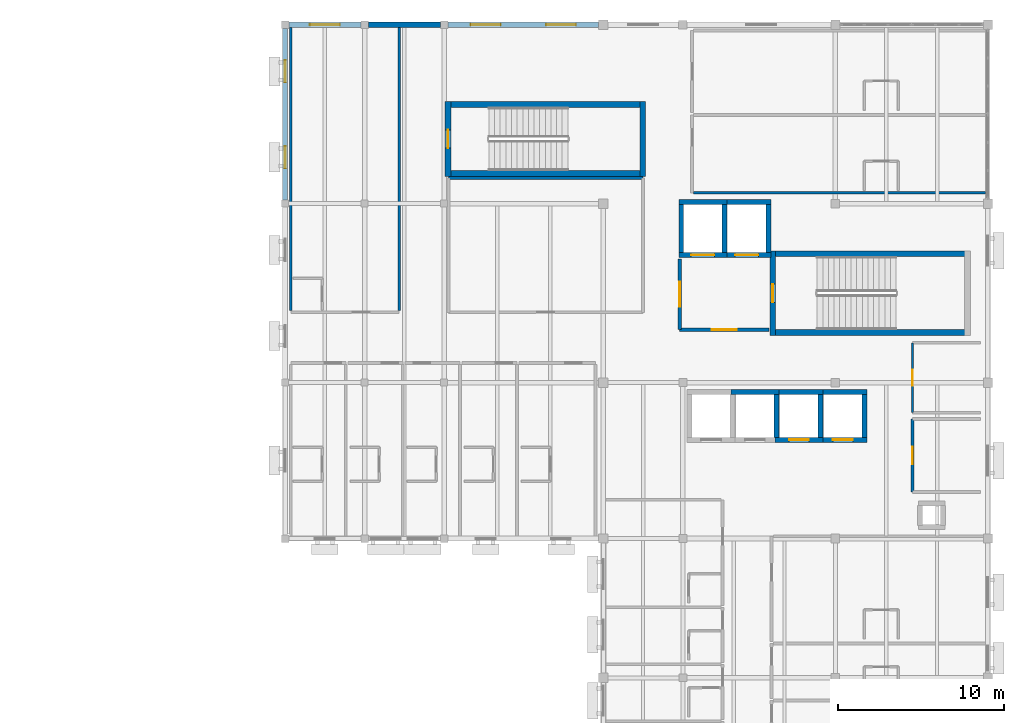
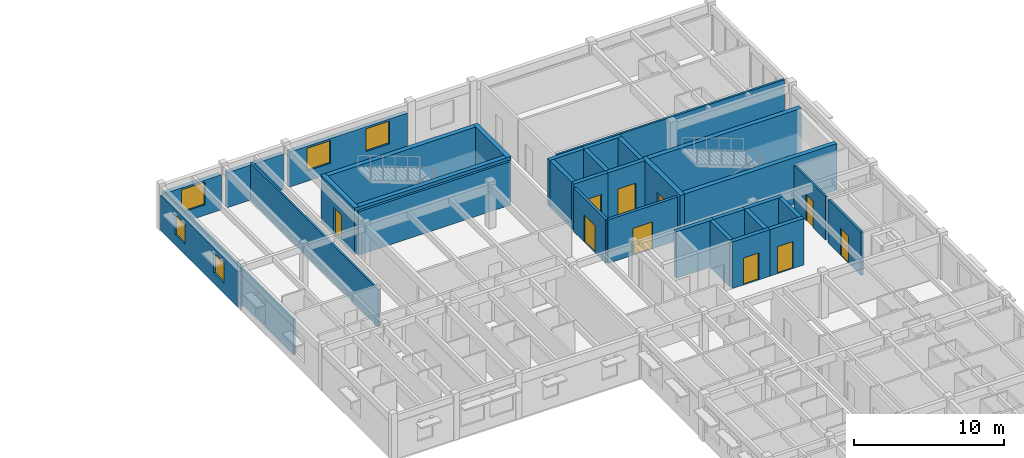
# One storey, part 18 of 31: 34 walls, 10 doors, 5 windows, 15 openings.
"""IFC4 building model written with IfcOpenShell, lengths in metres."""

from ifc_helpers import new_model, si_unit, direction, frame, frame_2d, origin, place, context, subcontext, project, spatial, rectangle, extrude, material, layer, layer_set, type_object, element, fill, save


model = new_model("IFC4")

# Units and contexts
model_context = context("Model", 3, precision=1e-05, world=origin(), true_north=direction((0.0, 1.0)))
body_context = subcontext(model_context, "Body", "Model", "MODEL_VIEW")
ifc_project = project(units=[si_unit("LENGTHUNIT", "METRE"), si_unit("AREAUNIT", "SQUARE_METRE"), si_unit("VOLUMEUNIT", "CUBIC_METRE"), si_unit("PLANEANGLEUNIT", "RADIAN"), si_unit("MASSUNIT", "GRAM", prefix="KILO")], contexts=[model_context])

# Site, building, storey
site_placement = place(None, origin())
site = spatial("IfcSite", under=ifc_project, at=site_placement, CompositionType="ELEMENT")
building_placement = place(site_placement, origin())
building = spatial("IfcBuilding", under=site, at=building_placement, Name="Veldera Park Congress Hotel", CompositionType="ELEMENT")
storey_placement = place(building_placement, frame((0.0, 0.0, 20.0)))
storey = spatial("IfcBuildingStorey", under=building, at=storey_placement, Name="L04", CompositionType="ELEMENT", Elevation=20.0)

# Wall, openings, windows
ifc_material_1 = material(Name="Cross-laminated timber CLT V2M1.1", Category="wood")
ifc_layer_1 = layer(ifc_material_1, 0.320068359375)
ifc_layer_set_1 = layer_set([ifc_layer_1], Name="Cross-laminated timber CLT V2M1.1")
wall_type_1 = type_object("IfcWallType", Name="EW-CLT320", PredefinedType="STANDARD", material=ifc_layer_set_1)
wall_1_placement = place(storey_placement, frame((60.52197265625, 58.0, 0.0), z_axis=(0.0, 0.0, 1.0), x_axis=(-1.0, 0.0, 0.0)))
wall_1 = element("IfcWall", 1, at=wall_1_placement, inside=storey, type_object=wall_type_1, Name="L04 Exterior Wall EW3-L04-0258", PredefinedType="STANDARD", context=body_context, shape_type="SweptSolid", body=[
    extrude(rectangle(XDim=9.098876953125, YDim=0.320068359375, at=frame_2d((4.54931640625, 0.0))), origin(), (0.0, 0.0, 1.0), 2.864990234375),
])
opening_1_placement = place(wall_1_placement, frame((1.374755859375, 0.0, 0.85009765625)))
opening_1 = element("IfcOpeningElement", 2, at=opening_1_placement, cuts=wall_1, Name="Opening WIN-1800", PredefinedType="OPENING", context=body_context, shape_type="SweptSolid", body=[
    extrude(rectangle(XDim=1.800048828125, YDim=1.85009765625, at=frame_2d((0.89990234375, 0.925048828125))), frame((0.0, 0.172119140625, 0.0), z_axis=(0.0, -1.0, 0.0), x_axis=(1.0, 0.0, 0.0)), (0.0, 0.0, 1.0), 0.343994140625),
])
opening_2_placement = place(wall_1_placement, frame((5.92431640625, 0.0, 0.85009765625)))
opening_2 = element("IfcOpeningElement", 3, at=opening_2_placement, cuts=wall_1, Name="Opening WIN-1800", PredefinedType="OPENING", context=body_context, shape_type="SweptSolid", body=[
    extrude(rectangle(XDim=1.800048828125, YDim=1.85009765625, at=frame_2d((0.89990234375, 0.925048828125))), frame((0.0, 0.172119140625, 0.0), z_axis=(0.0, -1.0, 0.0), x_axis=(1.0, 0.0, 0.0)), (0.0, 0.0, 1.0), 0.343994140625),
])
ifc_material_2 = material(Name="Low-E Triple Insulating Glass Unit (SHGC 0.22)", Category="glass")
window_type_1 = type_object("IfcWindowType", Name="WIN-1800", PartitioningType="SINGLE_PANEL", PredefinedType="WINDOW", material=ifc_material_2)
window_1_placement = place(opening_1_placement, origin())
window_1 = element("IfcWindow", 4, at=window_1_placement, inside=storey, type_object=window_type_1, Name="L04 Window WIN-1800 206", OverallHeight=1.85009765625, OverallWidth=1.800048828125, PartitioningType="SINGLE_PANEL", PredefinedType="WINDOW", context=body_context, shape_type="SweptSolid", body=[
    extrude(rectangle(XDim=1.800048828125, YDim=1.85009765625, at=frame_2d((0.89990234375, 0.925048828125))), frame((0.0, 0.030029296875, 0.0), z_axis=(0.0, -1.0, 0.0), x_axis=(1.0, 0.0, 0.0)), (0.0, 0.0, 1.0), 0.06005859375),
])
fill(opening_1, window_1)
window_2_placement = place(opening_2_placement, origin())
window_2 = element("IfcWindow", 5, at=window_2_placement, inside=storey, type_object=window_type_1, Name="L04 Window WIN-1800 207", OverallHeight=1.85009765625, OverallWidth=1.800048828125, PartitioningType="SINGLE_PANEL", PredefinedType="WINDOW", context=body_context, shape_type="SweptSolid", body=[
    extrude(rectangle(XDim=1.800048828125, YDim=1.85009765625, at=frame_2d((0.89990234375, 0.925048828125))), frame((0.0, 0.030029296875, 0.0), z_axis=(0.0, -1.0, 0.0), x_axis=(1.0, 0.0, 0.0)), (0.0, 0.0, 1.0), 0.06005859375),
])
fill(opening_2, window_2)

# Wall
wall_2_placement = place(storey_placement, frame((50.97705078125, 58.0, 0.0), z_axis=(0.0, 0.0, 1.0), x_axis=(-1.0, 0.0, 0.0)))
element("IfcWall", 6, at=wall_2_placement, inside=storey, type_object=wall_type_1, Name="L04 Exterior Wall EW3-L04-0259", PredefinedType="STANDARD", context=body_context, shape_type="SweptSolid", body=[
    extrude(rectangle(XDim=4.35400390625, YDim=0.320068359375, at=frame_2d((2.177001953125, 0.0))), origin(), (0.0, 0.0, 1.0), 2.864990234375),
])

# Wall, opening, window
wall_3_placement = place(storey_placement, frame((46.177001953125, 58.0, 0.0), z_axis=(0.0, 0.0, 1.0), x_axis=(-1.0, 0.0, 0.0)))
wall_3 = element("IfcWall", 7, at=wall_3_placement, inside=storey, type_object=wall_type_1, Name="L04 Exterior Wall EW3-L04-0260", PredefinedType="STANDARD", context=body_context, shape_type="SweptSolid", body=[
    extrude(rectangle(XDim=4.35400390625, YDim=0.320068359375, at=frame_2d((2.177001953125, 0.0))), origin(), (0.0, 0.0, 1.0), 2.864990234375),
])
opening_3_placement = place(wall_3_placement, frame((1.277099609375, 0.0, 0.85009765625)))
opening_3 = element("IfcOpeningElement", 8, at=opening_3_placement, cuts=wall_3, Name="Opening WIN-1800", PredefinedType="OPENING", context=body_context, shape_type="SweptSolid", body=[
    extrude(rectangle(XDim=1.800048828125, YDim=1.85009765625, at=frame_2d((0.89990234375, 0.925048828125))), frame((0.0, 0.172119140625, 0.0), z_axis=(0.0, -1.0, 0.0), x_axis=(1.0, 0.0, 0.0)), (0.0, 0.0, 1.0), 0.343994140625),
])
window_3_placement = place(opening_3_placement, origin())
window_3 = element("IfcWindow", 9, at=window_3_placement, inside=storey, type_object=window_type_1, Name="L04 Window WIN-1800 208", OverallHeight=1.85009765625, OverallWidth=1.800048828125, PartitioningType="SINGLE_PANEL", PredefinedType="WINDOW", context=body_context, shape_type="SweptSolid", body=[
    extrude(rectangle(XDim=1.800048828125, YDim=1.85009765625, at=frame_2d((0.89990234375, 0.925048828125))), frame((0.0, 0.030029296875, 0.0), z_axis=(0.0, -1.0, 0.0), x_axis=(1.0, 0.0, 0.0)), (0.0, 0.0, 1.0), 0.06005859375),
])
fill(opening_3, window_3)

# Wall, openings, windows
wall_4_placement = place(storey_placement, frame((41.60009765625, 57.777099609375, 0.0), z_axis=(0.0, 0.0, 1.0), x_axis=(0.0, -1.0, 0.0)))
wall_4 = element("IfcWall", 10, at=wall_4_placement, inside=storey, type_object=wall_type_1, Name="L04 Exterior Wall EW3-L04-0261", PredefinedType="STANDARD", context=body_context, shape_type="SweptSolid", body=[
    extrude(rectangle(XDim=10.369140625, YDim=0.320068359375, at=frame_2d((5.1845703125, 0.0))), origin(), (0.0, 0.0, 1.0), 2.905029296875),
])
opening_4_placement = place(wall_4_placement, frame((1.917236328125, 0.0, 0.85009765625)))
opening_4 = element("IfcOpeningElement", 11, at=opening_4_placement, cuts=wall_4, Name="Opening WIN-1350", PredefinedType="OPENING", context=body_context, shape_type="SweptSolid", body=[
    extrude(rectangle(XDim=1.35009765625, YDim=1.64990234375, at=frame_2d((0.675048828125, 0.824951171875))), frame((0.0, 0.172119140625, 0.0), z_axis=(0.0, -1.0, 0.0), x_axis=(1.0, 0.0, 0.0)), (0.0, 0.0, 1.0), 0.343994140625),
])
opening_5_placement = place(wall_4_placement, frame((7.101806640625, 0.0, 0.85009765625)))
opening_5 = element("IfcOpeningElement", 12, at=opening_5_placement, cuts=wall_4, Name="Opening WIN-1350", PredefinedType="OPENING", context=body_context, shape_type="SweptSolid", body=[
    extrude(rectangle(XDim=1.35009765625, YDim=1.64990234375, at=frame_2d((0.675048828125, 0.824951171875))), frame((0.0, 0.172119140625, 0.0), z_axis=(0.0, -1.0, 0.0), x_axis=(1.0, 0.0, 0.0)), (0.0, 0.0, 1.0), 0.343994140625),
])
window_type_2 = type_object("IfcWindowType", Name="WIN-1350", PartitioningType="SINGLE_PANEL", PredefinedType="WINDOW", material=ifc_material_2)
window_4_placement = place(opening_4_placement, origin())
window_4 = element("IfcWindow", 13, at=window_4_placement, inside=storey, type_object=window_type_2, Name="L04 Window WIN-1350 209", OverallHeight=1.64990234375, OverallWidth=1.35009765625, PartitioningType="SINGLE_PANEL", PredefinedType="WINDOW", context=body_context, shape_type="SweptSolid", body=[
    extrude(rectangle(XDim=1.35009765625, YDim=1.64990234375, at=frame_2d((0.675048828125, 0.824951171875))), frame((0.0, 0.030029296875, 0.0), z_axis=(0.0, -1.0, 0.0), x_axis=(1.0, 0.0, 0.0)), (0.0, 0.0, 1.0), 0.06005859375),
])
fill(opening_4, window_4)
window_5_placement = place(opening_5_placement, origin())
window_5 = element("IfcWindow", 14, at=window_5_placement, inside=storey, type_object=window_type_2, Name="L04 Window WIN-1350 210", OverallHeight=1.64990234375, OverallWidth=1.35009765625, PartitioningType="SINGLE_PANEL", PredefinedType="WINDOW", context=body_context, shape_type="SweptSolid", body=[
    extrude(rectangle(XDim=1.35009765625, YDim=1.64990234375, at=frame_2d((0.675048828125, 0.824951171875))), frame((0.0, 0.030029296875, 0.0), z_axis=(0.0, -1.0, 0.0), x_axis=(1.0, 0.0, 0.0)), (0.0, 0.0, 1.0), 0.06005859375),
])
fill(opening_5, window_5)

# Wall, opening, door
ifc_material_3 = material(Name="Fire-Rated Gypsum Board on Cold-Formed Steel Studs", Category="steel")
ifc_layer_2 = layer(ifc_material_3, 0.179931640625)
ifc_layer_set_2 = layer_set([ifc_layer_2], Name="Fire-Rated Gypsum Board on Cold-Formed Steel Studs")
wall_type_2 = type_object("IfcWallType", Name="IW-CORR180", PredefinedType="PARTITIONING", material=ifc_layer_set_2)
wall_5_placement = place(storey_placement, frame((79.449951171875, 34.199951171875, 0.0), z_axis=(0.0, 0.0, 1.0), x_axis=(0.0, -1.0, 0.0)))
wall_5 = element("IfcWall", 15, at=wall_5_placement, inside=storey, type_object=wall_type_2, Name="L04 Partition Wall IW3-L04-00241", PredefinedType="PARTITIONING", context=body_context, shape_type="SweptSolid", body=[
    extrude(rectangle(XDim=4.39990234375, YDim=0.179931640625, at=frame_2d((2.199951171875, 0.0))), origin(), (0.0, 0.0, 1.0), 3.550048828125),
])
opening_6_placement = place(wall_5_placement, frame((1.675048828125, 0.0, 0.0)))
opening_6 = element("IfcOpeningElement", 16, at=opening_6_placement, cuts=wall_5, Name="Opening ID-MEET105", PredefinedType="OPENING", context=body_context, shape_type="SweptSolid", body=[
    extrude(rectangle(XDim=1.050048828125, YDim=2.199951171875, at=frame_2d((0.52490234375, 1.10009765625))), frame((0.0, 0.10205078125, 0.0), z_axis=(0.0, -1.0, 0.0), x_axis=(1.0, 0.0, 0.0)), (0.0, 0.0, 1.0), 0.203857421875),
])
ifc_material_4 = material(Name="Solid Core White Oak Architectural Door", Category="wood")
door_type_1 = type_object("IfcDoorType", Name="ID-MEET105", OperationType="NOTDEFINED", PredefinedType="DOOR", material=ifc_material_4)
door_1_placement = place(opening_6_placement, origin())
door_1 = element("IfcDoor", 17, at=door_1_placement, inside=storey, type_object=door_type_1, Name="L04 L04 Housekeeping and Linen Store Door ID3-L04-0087 (DR3-ID3-L04-0087)", OperationType="SINGLE_SWING_RIGHT", OverallHeight=2.199951171875, OverallWidth=1.050048828125, PredefinedType="DOOR", context=body_context, shape_type="SweptSolid", body=[
    extrude(rectangle(XDim=1.050048828125, YDim=2.199951171875, at=frame_2d((0.52490234375, 1.10009765625))), frame((0.0, 0.02490234375, 0.0), z_axis=(0.0, -1.0, 0.0), x_axis=(1.0, 0.0, 0.0)), (0.0, 0.0, 1.0), 0.050048828125),
])
fill(opening_6, door_1)

# Wall
wall_6_placement = place(storey_placement, frame((63.199951171875, 48.75, 0.0), z_axis=(0.0, 0.0, 1.0), x_axis=(-1.0, 0.0, 0.0)))
element("IfcWall", 18, at=wall_6_placement, inside=storey, type_object=wall_type_2, Name="L04 Partition Wall IW3-L04-00247", PredefinedType="PARTITIONING", context=body_context, shape_type="SweptSolid", body=[
    extrude(rectangle(XDim=11.75, YDim=0.179931640625, at=frame_2d((5.875, 0.0))), origin(), (0.0, 0.0, 1.0), 3.550048828125),
])

# Wall, opening, door
ifc_material_5 = material(Name="Concrete f'c 40 MPa (5,800 psi)", Category="concrete")
ifc_layer_3 = layer(ifc_material_5, 0.219970703125)
ifc_layer_set_3 = layer_set([ifc_layer_3], Name="Concrete f'c 40 MPa (5,800 psi)")
wall_type_3 = type_object("IfcWallType", Name="IW-FIRE220", PredefinedType="STANDARD", material=ifc_layer_set_3)
wall_7_placement = place(storey_placement, frame((65.39990234375, 39.60009765625, 0.0), z_axis=(0.0, 0.0, 1.0), x_axis=(1.0, 0.0, 0.0)))
wall_7 = element("IfcWall", 19, at=wall_7_placement, inside=storey, type_object=wall_type_3, Name="L04 Partition Wall IW3-L04-00234", PredefinedType="STANDARD", context=body_context, shape_type="SweptSolid", body=[
    extrude(rectangle(XDim=5.400146484375, YDim=0.219970703125, at=frame_2d((2.7001953125, 0.0))), origin(), (0.0, 0.0, 1.0), 3.550048828125),
])
opening_7_placement = place(wall_7_placement, frame((1.949951171875, 0.0, 0.0)))
opening_7 = element("IfcOpeningElement", 20, at=opening_7_placement, cuts=wall_7, Name="Opening ID-LOB150", PredefinedType="OPENING", context=body_context, shape_type="SweptSolid", body=[
    extrude(rectangle(XDim=1.5, YDim=2.199951171875, at=frame_2d((0.75, 1.10009765625))), frame((0.0, 0.1220703125, 0.0), z_axis=(0.0, -1.0, 0.0), x_axis=(1.0, 0.0, 0.0)), (0.0, 0.0, 1.0), 0.243896484375),
])
ifc_material_6 = material(Name="Hollow Metal Fire-Rated Steel Door", Category="steel")
door_type_2 = type_object("IfcDoorType", Name="ID-LOB150", OperationType="DOUBLE_DOOR_SINGLE_SWING", PredefinedType="DOOR", material=ifc_material_6)
door_2_placement = place(opening_7_placement, origin())
door_2 = element("IfcDoor", 21, at=door_2_placement, inside=storey, type_object=door_type_2, Name="L04 Firefighting Lobby Door ID3-L04-0084 (DR3-ID3-L04-0084)", OperationType="DOUBLE_DOOR_SINGLE_SWING", OverallHeight=2.199951171875, OverallWidth=1.5, PredefinedType="DOOR", context=body_context, shape_type="SweptSolid", body=[
    extrude(rectangle(XDim=1.5, YDim=2.199951171875, at=frame_2d((0.75, 1.10009765625))), frame((0.0, 0.02490234375, 0.0), z_axis=(0.0, -1.0, 0.0), x_axis=(1.0, 0.0, 0.0)), (0.0, 0.0, 1.0), 0.050048828125),
])
fill(opening_7, door_2)

wall_8_placement = place(storey_placement, frame((65.39990234375, 43.85009765625, 0.0), z_axis=(0.0, 0.0, 1.0), x_axis=(0.0, -1.0, 0.0)))
wall_8 = element("IfcWall", 22, at=wall_8_placement, inside=storey, type_object=wall_type_3, Name="L04 Partition Wall IW3-L04-00235", PredefinedType="STANDARD", context=body_context, shape_type="SweptSolid", body=[
    extrude(rectangle(XDim=4.25, YDim=0.219970703125, at=frame_2d((2.125, 0.0))), origin(), (0.0, 0.0, 1.0), 3.550048828125),
])
opening_8_placement = place(wall_8_placement, frame((1.375, 0.0, 0.0)))
opening_8 = element("IfcOpeningElement", 23, at=opening_8_placement, cuts=wall_8, Name="Opening ID-LOB150", PredefinedType="OPENING", context=body_context, shape_type="SweptSolid", body=[
    extrude(rectangle(XDim=1.5, YDim=2.199951171875, at=frame_2d((0.75, 1.10009765625))), frame((0.0, 0.1220703125, 0.0), z_axis=(0.0, -1.0, 0.0), x_axis=(1.0, 0.0, 0.0)), (0.0, 0.0, 1.0), 0.243896484375),
])
door_3_placement = place(opening_8_placement, origin())
door_3 = element("IfcDoor", 24, at=door_3_placement, inside=storey, type_object=door_type_2, Name="L04 Firefighting Lobby Door ID3-L04-0085 (DR3-ID3-L04-0085)", OperationType="DOUBLE_DOOR_SINGLE_SWING", OverallHeight=2.199951171875, OverallWidth=1.5, PredefinedType="DOOR", context=body_context, shape_type="SweptSolid", body=[
    extrude(rectangle(XDim=1.5, YDim=2.199951171875, at=frame_2d((0.75, 1.10009765625))), frame((0.0, 0.02490234375, 0.0), z_axis=(0.0, -1.0, 0.0), x_axis=(1.0, 0.0, 0.0)), (0.0, 0.0, 1.0), 0.050048828125),
])
fill(opening_8, door_3)

ifc_layer_4 = layer(ifc_material_3, 0.14990234375)
ifc_layer_set_4 = layer_set([ifc_layer_4], Name="Fire-Rated Gypsum Board on Cold-Formed Steel Studs")
wall_type_4 = type_object("IfcWallType", Name="IW-PLMB150", PredefinedType="PLUMBINGWALL", material=ifc_layer_set_4)
wall_9_placement = place(storey_placement, frame((79.449951171875, 38.800048828125, 0.0), z_axis=(0.0, 0.0, 1.0), x_axis=(0.0, -1.0, 0.0)))
wall_9 = element("IfcWall", 25, at=wall_9_placement, inside=storey, type_object=wall_type_4, Name="L04 Partition Wall IW3-L04-00244", PredefinedType="PLUMBINGWALL", context=body_context, shape_type="SweptSolid", body=[
    extrude(rectangle(XDim=4.199951171875, YDim=0.14990234375, at=frame_2d((2.10009765625, 0.0))), origin(), (0.0, 0.0, 1.0), 3.550048828125),
])
opening_9_placement = place(wall_9_placement, frame((1.625, 0.0, 0.0)))
opening_9 = element("IfcOpeningElement", 26, at=opening_9_placement, cuts=wall_9, Name="Opening ID-WC095", PredefinedType="OPENING", context=body_context, shape_type="SweptSolid", body=[
    extrude(rectangle(XDim=0.949951171875, YDim=2.14990234375, at=frame_2d((0.47509765625, 1.074951171875))), frame((0.0, 0.0869140625, 0.0), z_axis=(0.0, -1.0, 0.0), x_axis=(1.0, 0.0, 0.0)), (0.0, 0.0, 1.0), 0.173828125),
])
door_type_3 = type_object("IfcDoorType", Name="ID-WC095", OperationType="NOTDEFINED", PredefinedType="DOOR", material=ifc_material_4)
door_4_placement = place(opening_9_placement, origin())
door_4 = element("IfcDoor", 27, at=door_4_placement, inside=storey, type_object=door_type_3, Name="L04 L04 Public Accessible WC Door ID3-L04-0088 (DR3-ID3-L04-0088)", OperationType="SINGLE_SWING_LEFT", OverallHeight=2.14990234375, OverallWidth=0.949951171875, PredefinedType="DOOR", context=body_context, shape_type="SweptSolid", body=[
    extrude(rectangle(XDim=0.949951171875, YDim=2.14990234375, at=frame_2d((0.47509765625, 1.074951171875))), frame((0.0, 0.02490234375, 0.0), z_axis=(0.0, -1.0, 0.0), x_axis=(1.0, 0.0, 0.0)), (0.0, 0.0, 1.0), 0.050048828125),
])
fill(opening_9, door_4)

# Walls
ifc_layer_5 = layer(ifc_material_1, 0.159912109375)
ifc_layer_set_5 = layer_set([ifc_layer_5], Name="Cross-laminated timber CLT V2M1.1")
wall_type_5 = type_object("IfcWallType", Name="IW-UNIT160", PredefinedType="PARTITIONING", material=ifc_layer_set_5)
wall_10_placement = place(storey_placement, frame((66.25, 47.85009765625, 0.0), z_axis=(0.0, 0.0, 1.0), x_axis=(1.0, 0.0, 0.0)))
element("IfcWall", 28, at=wall_10_placement, inside=storey, type_object=wall_type_5, Name="L04 Partition Wall IW3-L04-00993", PredefinedType="PARTITIONING", context=body_context, shape_type="SweptSolid", body=[
    extrude(rectangle(XDim=17.590087890625, YDim=0.159912109375, at=frame_2d((8.794921875, 0.0))), origin(), (0.0, 0.0, 1.0), 3.550048828125),
])
wall_11_placement = place(storey_placement, frame((41.949951171875, 40.75, 0.0), z_axis=(0.0, 0.0, 1.0), x_axis=(0.0, 1.0, 0.0)))
element("IfcWall", 29, at=wall_11_placement, inside=storey, type_object=wall_type_5, Name="L04 Partition Wall IW3-L04-01004", PredefinedType="PARTITIONING", context=body_context, shape_type="SweptSolid", body=[
    extrude(rectangle(XDim=17.090087890625, YDim=0.159912109375, at=frame_2d((8.544921875, 0.0))), origin(), (0.0, 0.0, 1.0), 2.905029296875),
])
wall_12_placement = place(storey_placement, frame((48.47998046875, 40.75, 0.0), z_axis=(0.0, 0.0, 1.0), x_axis=(0.0, 1.0, 0.0)))
element("IfcWall", 30, at=wall_12_placement, inside=storey, type_object=wall_type_5, Name="L04 Partition Wall IW3-L04-01005", PredefinedType="PARTITIONING", context=body_context, shape_type="SweptSolid", body=[
    extrude(rectangle(XDim=17.090087890625, YDim=0.159912109375, at=frame_2d((8.544921875, 0.0))), origin(), (0.0, 0.0, 1.0), 3.050048828125),
])
ifc_layer_6 = layer(ifc_material_5, 0.35009765625)
ifc_layer_set_6 = layer_set([ifc_layer_6], Name="Concrete f'c 40 MPa (5,800 psi)")
wall_type_6 = type_object("IfcWallType", Name="SW-CORE350", PredefinedType="SHEAR", material=ifc_layer_set_6)
for number, where, z_axis, x_axis, name in (
    (31, (70.85009765625, 39.425048828125, 0.0), (0.0, 0.0, 1.0), (1.0, 0.0, 0.0), "Stair ST1 Core Wall L04-S"),
    (32, (82.949951171875, 44.175048828125, 0.0), (0.0, 0.0, 1.0), (-1.0, 0.0, 0.0), "Stair ST1 Core Wall L04-N"),
):
    element("IfcWall", number, at=place(storey_placement, frame(where, z_axis=z_axis, x_axis=x_axis)), inside=storey, type_object=wall_type_6, Name=name, PredefinedType="SHEAR", context=body_context, shape_type="SweptSolid", body=[
        extrude(rectangle(XDim=12.099853515625, YDim=0.35009765625, at=frame_2d((6.0498046875, 0.0))), origin(), (0.0, 0.0, 1.0), 3.800048828125),
    ])

# Wall, opening, door
wall_13_placement = place(storey_placement, frame((71.02490234375, 44.35009765625, 0.0), z_axis=(0.0, 0.0, 1.0), x_axis=(0.0, -1.0, 0.0)))
wall_13 = element("IfcWall", 33, at=wall_13_placement, inside=storey, type_object=wall_type_6, Name="Stair ST1 Core Wall L04-W", PredefinedType="SHEAR", context=body_context, shape_type="SweptSolid", body=[
    extrude(rectangle(XDim=5.10009765625, YDim=0.35009765625, at=frame_2d((2.550048828125, 0.0))), origin(), (0.0, 0.0, 1.0), 3.800048828125),
])
opening_10_placement = place(wall_13_placement, frame((2.0, 0.0, 0.0)))
opening_10 = element("IfcOpeningElement", 34, at=opening_10_placement, cuts=wall_13, Name="Opening ID-STAIR110", PredefinedType="OPENING", context=body_context, shape_type="SweptSolid", body=[
    extrude(rectangle(XDim=1.10009765625, YDim=2.199951171875, at=frame_2d((0.550048828125, 1.10009765625))), frame((0.0, 0.18701171875, 0.0), z_axis=(0.0, -1.0, 0.0), x_axis=(1.0, 0.0, 0.0)), (0.0, 0.0, 1.0), 0.3740234375),
])
door_type_4 = type_object("IfcDoorType", Name="ID-STAIR110", OperationType="NOTDEFINED", PredefinedType="DOOR", material=ifc_material_6)
door_5_placement = place(opening_10_placement, origin())
door_5 = element("IfcDoor", 35, at=door_5_placement, inside=storey, type_object=door_type_4, Name="L04 Stair ST1 Fire Door (DR3-SD-ST1-L04)", OperationType="SINGLE_SWING_RIGHT", OverallHeight=2.199951171875, OverallWidth=1.10009765625, PredefinedType="DOOR", context=body_context, shape_type="SweptSolid", body=[
    extrude(rectangle(XDim=1.10009765625, YDim=2.199951171875, at=frame_2d((0.550048828125, 1.10009765625))), frame((0.0, 0.02490234375, 0.0), z_axis=(0.0, -1.0, 0.0), x_axis=(1.0, 0.0, 0.0)), (0.0, 0.0, 1.0), 0.050048828125),
])
fill(opening_10, door_5)

# Walls
wall_14_placement = place(storey_placement, frame((51.25, 49.02490234375, 0.0), z_axis=(0.0, 0.0, 1.0), x_axis=(1.0, 0.0, 0.0)))
element("IfcWall", 36, at=wall_14_placement, inside=storey, type_object=wall_type_6, Name="Stair ST3 Core Wall L04-S", PredefinedType="SHEAR", context=body_context, shape_type="SweptSolid", body=[
    extrude(rectangle(XDim=12.10009765625, YDim=0.35009765625, at=frame_2d((6.050048828125, 0.0))), origin(), (0.0, 0.0, 1.0), 3.800048828125),
])
wall_15_placement = place(storey_placement, frame((63.175048828125, 48.85009765625, 0.0), z_axis=(0.0, 0.0, 1.0), x_axis=(0.0, 1.0, 0.0)))
element("IfcWall", 37, at=wall_15_placement, inside=storey, type_object=wall_type_6, Name="Stair ST3 Core Wall L04-E", PredefinedType="SHEAR", context=body_context, shape_type="SweptSolid", body=[
    extrude(rectangle(XDim=4.5, YDim=0.35009765625, at=frame_2d((2.25, 0.0))), origin(), (0.0, 0.0, 1.0), 3.800048828125),
])
wall_16_placement = place(storey_placement, frame((63.35009765625, 53.175048828125, 0.0), z_axis=(0.0, 0.0, 1.0), x_axis=(-1.0, 0.0, 0.0)))
element("IfcWall", 38, at=wall_16_placement, inside=storey, type_object=wall_type_6, Name="Stair ST3 Core Wall L04-N", PredefinedType="SHEAR", context=body_context, shape_type="SweptSolid", body=[
    extrude(rectangle(XDim=12.10009765625, YDim=0.35009765625, at=frame_2d((6.050048828125, 0.0))), origin(), (0.0, 0.0, 1.0), 3.800048828125),
])

# Wall, opening, door
wall_17_placement = place(storey_placement, frame((51.425048828125, 53.35009765625, 0.0), z_axis=(0.0, 0.0, 1.0), x_axis=(0.0, -1.0, 0.0)))
wall_17 = element("IfcWall", 39, at=wall_17_placement, inside=storey, type_object=wall_type_6, Name="Stair ST3 Core Wall L04-W", PredefinedType="SHEAR", context=body_context, shape_type="SweptSolid", body=[
    extrude(rectangle(XDim=4.5, YDim=0.35009765625, at=frame_2d((2.25, 0.0))), origin(), (0.0, 0.0, 1.0), 3.800048828125),
])
opening_11_placement = place(wall_17_placement, frame((1.699951171875, 0.0, 0.0)))
opening_11 = element("IfcOpeningElement", 40, at=opening_11_placement, cuts=wall_17, Name="Opening ID-STAIR110", PredefinedType="OPENING", context=body_context, shape_type="SweptSolid", body=[
    extrude(rectangle(XDim=1.10009765625, YDim=2.199951171875, at=frame_2d((0.550048828125, 1.10009765625))), frame((0.0, 0.18701171875, 0.0), z_axis=(0.0, -1.0, 0.0), x_axis=(1.0, 0.0, 0.0)), (0.0, 0.0, 1.0), 0.3740234375),
])
door_6_placement = place(opening_11_placement, origin())
door_6 = element("IfcDoor", 41, at=door_6_placement, inside=storey, type_object=door_type_4, Name="L04 Stair ST3 Fire Door (DR3-SD-ST3-L04)", OperationType="SINGLE_SWING_RIGHT", OverallHeight=2.199951171875, OverallWidth=1.10009765625, PredefinedType="DOOR", context=body_context, shape_type="SweptSolid", body=[
    extrude(rectangle(XDim=1.10009765625, YDim=2.199951171875, at=frame_2d((0.550048828125, 1.10009765625))), frame((0.0, 0.02490234375, 0.0), z_axis=(0.0, -1.0, 0.0), x_axis=(1.0, 0.0, 0.0)), (0.0, 0.0, 1.0), 0.050048828125),
])
fill(opening_11, door_6)

ifc_layer_7 = layer(ifc_material_5, 0.300048828125)
ifc_layer_set_7 = layer_set([ifc_layer_7], Name="Concrete f'c 40 MPa (5,800 psi)")
wall_type_7 = type_object("IfcWallType", Name="SW-SHFT300", PredefinedType="SHEAR", material=ifc_layer_set_7)
wall_18_placement = place(storey_placement, frame((65.35009765625, 44.10009765625, 0.0), z_axis=(0.0, 0.0, 1.0), x_axis=(1.0, 0.0, 0.0)))
wall_18 = element("IfcWall", 42, at=wall_18_placement, inside=storey, type_object=wall_type_7, Name="Lift FL-01 Shaft Wall L04-S", PredefinedType="SHEAR", context=body_context, shape_type="SweptSolid", body=[
    extrude(rectangle(XDim=2.89990234375, YDim=0.300048828125, at=frame_2d((1.449951171875, 0.0))), origin(), (0.0, 0.0, 1.0), 3.800048828125),
])
opening_12_placement = place(wall_18_placement, frame((0.75, 0.0, 0.0)))
opening_12 = element("IfcOpeningElement", 43, at=opening_12_placement, cuts=wall_18, Name="Opening LD-140", PredefinedType="OPENING", context=body_context, shape_type="SweptSolid", body=[
    extrude(rectangle(XDim=1.39990234375, YDim=2.199951171875, at=frame_2d((0.699951171875, 1.10009765625))), frame((0.0, 0.162109375, 0.0), z_axis=(0.0, -1.0, 0.0), x_axis=(1.0, 0.0, 0.0)), (0.0, 0.0, 1.0), 0.323974609375),
])
door_type_5 = type_object("IfcDoorType", Name="LD-140", OperationType="DOUBLE_DOOR_SLIDING", PredefinedType="DOOR", material=ifc_material_6)
door_7_placement = place(opening_12_placement, origin())
door_7 = element("IfcDoor", 44, at=door_7_placement, inside=storey, type_object=door_type_5, Name="L04 Lift FL-01 Landing Door (DR3-LD-FL-01-L04)", OperationType="DOUBLE_DOOR_SLIDING", OverallHeight=2.199951171875, OverallWidth=1.39990234375, PredefinedType="DOOR", context=body_context, shape_type="SweptSolid", body=[
    extrude(rectangle(XDim=1.39990234375, YDim=2.199951171875, at=frame_2d((0.699951171875, 1.10009765625))), frame((0.0, 0.02490234375, 0.0), z_axis=(0.0, -1.0, 0.0), x_axis=(1.0, 0.0, 0.0)), (0.0, 0.0, 1.0), 0.050048828125),
])
fill(opening_12, door_7)

# Walls
for number, where, z_axis, x_axis, name in (
    (45, (68.25, 47.300048828125, 0.0), (0.0, 0.0, 1.0), (-1.0, 0.0, 0.0), "Lift FL-01 Shaft Wall L04-N"),
    (46, (68.10009765625, 44.25, 0.0), (0.0, 0.0, 1.0), (0.0, 1.0, 0.0), "Lift FL-01 Shaft Wall L04-E"),
    (47, (65.5, 47.14990234375, 0.0), (0.0, 0.0, 1.0), (0.0, -1.0, 0.0), "Lift FL-01 Shaft Wall L04-W"),
):
    element("IfcWall", number, at=place(storey_placement, frame(where, z_axis=z_axis, x_axis=x_axis)), inside=storey, type_object=wall_type_7, Name=name, PredefinedType="SHEAR", context=body_context, shape_type="SweptSolid", body=[
        extrude(rectangle(XDim=2.89990234375, YDim=0.300048828125, at=frame_2d((1.449951171875, 0.0))), origin(), (0.0, 0.0, 1.0), 3.800048828125),
    ])

# Wall, opening, door
wall_19_placement = place(storey_placement, frame((68.0, 44.10009765625, 0.0), z_axis=(0.0, 0.0, 1.0), x_axis=(1.0, 0.0, 0.0)))
wall_19 = element("IfcWall", 48, at=wall_19_placement, inside=storey, type_object=wall_type_7, Name="Lift FL-02 Shaft Wall L04-S", PredefinedType="SHEAR", context=body_context, shape_type="SweptSolid", body=[
    extrude(rectangle(XDim=2.89990234375, YDim=0.300048828125, at=frame_2d((1.449951171875, 0.0))), origin(), (0.0, 0.0, 1.0), 3.800048828125),
])
opening_13_placement = place(wall_19_placement, frame((0.75, 0.0, 0.0)))
opening_13 = element("IfcOpeningElement", 49, at=opening_13_placement, cuts=wall_19, Name="Opening LD-140", PredefinedType="OPENING", context=body_context, shape_type="SweptSolid", body=[
    extrude(rectangle(XDim=1.39990234375, YDim=2.199951171875, at=frame_2d((0.699951171875, 1.10009765625))), frame((0.0, 0.162109375, 0.0), z_axis=(0.0, -1.0, 0.0), x_axis=(1.0, 0.0, 0.0)), (0.0, 0.0, 1.0), 0.323974609375),
])
door_8_placement = place(opening_13_placement, origin())
door_8 = element("IfcDoor", 50, at=door_8_placement, inside=storey, type_object=door_type_5, Name="L04 Lift FL-02 Landing Door (DR3-LD-FL-02-L04)", OperationType="DOUBLE_DOOR_SLIDING", OverallHeight=2.199951171875, OverallWidth=1.39990234375, PredefinedType="DOOR", context=body_context, shape_type="SweptSolid", body=[
    extrude(rectangle(XDim=1.39990234375, YDim=2.199951171875, at=frame_2d((0.699951171875, 1.10009765625))), frame((0.0, 0.02490234375, 0.0), z_axis=(0.0, -1.0, 0.0), x_axis=(1.0, 0.0, 0.0)), (0.0, 0.0, 1.0), 0.050048828125),
])
fill(opening_13, door_8)

# Walls
for number, where, z_axis, x_axis, name in (
    (51, (70.89990234375, 47.300048828125, 0.0), (0.0, 0.0, 1.0), (-1.0, 0.0, 0.0), "Lift FL-02 Shaft Wall L04-N"),
    (52, (70.75, 44.25, 0.0), (0.0, 0.0, 1.0), (0.0, 1.0, 0.0), "Lift FL-02 Shaft Wall L04-E"),
    (53, (71.39990234375, 35.85009765625, 0.0), (0.0, 0.0, 1.0), (-1.0, 0.0, 0.0), "Lift PL-02 Shaft Wall L04-N"),
):
    element("IfcWall", number, at=place(storey_placement, frame(where, z_axis=z_axis, x_axis=x_axis)), inside=storey, type_object=wall_type_7, Name=name, PredefinedType="SHEAR", context=body_context, shape_type="SweptSolid", body=[
        extrude(rectangle(XDim=2.89990234375, YDim=0.300048828125, at=frame_2d((1.449951171875, 0.0))), origin(), (0.0, 0.0, 1.0), 3.800048828125),
    ])
wall_20_placement = place(storey_placement, frame((71.25, 33.10009765625, 0.0), z_axis=(0.0, 0.0, 1.0), x_axis=(0.0, 1.0, 0.0)))
element("IfcWall", 54, at=wall_20_placement, inside=storey, type_object=wall_type_7, Name="Lift PL-02 Shaft Wall L04-E", PredefinedType="SHEAR", context=body_context, shape_type="SweptSolid", body=[
    extrude(rectangle(XDim=2.599853515625, YDim=0.300048828125, at=frame_2d((1.2998046875, 0.0))), origin(), (0.0, 0.0, 1.0), 3.800048828125),
])

# Wall, opening, door
wall_21_placement = place(storey_placement, frame((71.14990234375, 32.949951171875, 0.0), z_axis=(0.0, 0.0, 1.0), x_axis=(1.0, 0.0, 0.0)))
wall_21 = element("IfcWall", 55, at=wall_21_placement, inside=storey, type_object=wall_type_7, Name="Lift PL-03 Shaft Wall L04-S", PredefinedType="SHEAR", context=body_context, shape_type="SweptSolid", body=[
    extrude(rectangle(XDim=2.900146484375, YDim=0.300048828125, at=frame_2d((1.4501953125, 0.0))), origin(), (0.0, 0.0, 1.0), 3.800048828125),
])
opening_14_placement = place(wall_21_placement, frame((0.85009765625, 0.0, 0.0)))
opening_14 = element("IfcOpeningElement", 56, at=opening_14_placement, cuts=wall_21, Name="Opening LD-120", PredefinedType="OPENING", context=body_context, shape_type="SweptSolid", body=[
    extrude(rectangle(XDim=1.199951171875, YDim=2.199951171875, at=frame_2d((0.60009765625, 1.10009765625))), frame((0.0, 0.162109375, 0.0), z_axis=(0.0, -1.0, 0.0), x_axis=(1.0, 0.0, 0.0)), (0.0, 0.0, 1.0), 0.323974609375),
])
door_type_6 = type_object("IfcDoorType", Name="LD-120", OperationType="DOUBLE_DOOR_SLIDING", PredefinedType="DOOR", material=ifc_material_6)
door_9_placement = place(opening_14_placement, origin())
door_9 = element("IfcDoor", 57, at=door_9_placement, inside=storey, type_object=door_type_6, Name="L04 Lift PL-03 Landing Door (DR3-LD-PL-03-L04)", OperationType="DOUBLE_DOOR_SLIDING", OverallHeight=2.199951171875, OverallWidth=1.199951171875, PredefinedType="DOOR", context=body_context, shape_type="SweptSolid", body=[
    extrude(rectangle(XDim=1.199951171875, YDim=2.199951171875, at=frame_2d((0.60009765625, 1.10009765625))), frame((0.0, 0.02490234375, 0.0), z_axis=(0.0, -1.0, 0.0), x_axis=(1.0, 0.0, 0.0)), (0.0, 0.0, 1.0), 0.050048828125),
])
fill(opening_14, door_9)

# Walls
wall_22_placement = place(storey_placement, frame((74.050048828125, 35.85009765625, 0.0), z_axis=(0.0, 0.0, 1.0), x_axis=(-1.0, 0.0, 0.0)))
element("IfcWall", 58, at=wall_22_placement, inside=storey, type_object=wall_type_7, Name="Lift PL-03 Shaft Wall L04-N", PredefinedType="SHEAR", context=body_context, shape_type="SweptSolid", body=[
    extrude(rectangle(XDim=2.900146484375, YDim=0.300048828125, at=frame_2d((1.4501953125, 0.0))), origin(), (0.0, 0.0, 1.0), 3.800048828125),
])
wall_23_placement = place(storey_placement, frame((73.89990234375, 33.10009765625, 0.0), z_axis=(0.0, 0.0, 1.0), x_axis=(0.0, 1.0, 0.0)))
element("IfcWall", 59, at=wall_23_placement, inside=storey, type_object=wall_type_7, Name="Lift PL-03 Shaft Wall L04-E", PredefinedType="SHEAR", context=body_context, shape_type="SweptSolid", body=[
    extrude(rectangle(XDim=2.599853515625, YDim=0.300048828125, at=frame_2d((1.2998046875, 0.0))), origin(), (0.0, 0.0, 1.0), 3.800048828125),
])

# Wall, opening, door
wall_24_placement = place(storey_placement, frame((73.800048828125, 32.949951171875, 0.0), z_axis=(0.0, 0.0, 1.0), x_axis=(1.0, 0.0, 0.0)))
wall_24 = element("IfcWall", 60, at=wall_24_placement, inside=storey, type_object=wall_type_7, Name="Lift PL-04 Shaft Wall L04-S", PredefinedType="SHEAR", context=body_context, shape_type="SweptSolid", body=[
    extrude(rectangle(XDim=2.89990234375, YDim=0.300048828125, at=frame_2d((1.449951171875, 0.0))), origin(), (0.0, 0.0, 1.0), 3.800048828125),
])
opening_15_placement = place(wall_24_placement, frame((0.85009765625, 0.0, 0.0)))
opening_15 = element("IfcOpeningElement", 61, at=opening_15_placement, cuts=wall_24, Name="Opening LD-120", PredefinedType="OPENING", context=body_context, shape_type="SweptSolid", body=[
    extrude(rectangle(XDim=1.199951171875, YDim=2.199951171875, at=frame_2d((0.60009765625, 1.10009765625))), frame((0.0, 0.162109375, 0.0), z_axis=(0.0, -1.0, 0.0), x_axis=(1.0, 0.0, 0.0)), (0.0, 0.0, 1.0), 0.323974609375),
])
door_10_placement = place(opening_15_placement, origin())
door_10 = element("IfcDoor", 62, at=door_10_placement, inside=storey, type_object=door_type_6, Name="L04 Lift PL-04 Landing Door (DR3-LD-PL-04-L04)", OperationType="DOUBLE_DOOR_SLIDING", OverallHeight=2.199951171875, OverallWidth=1.199951171875, PredefinedType="DOOR", context=body_context, shape_type="SweptSolid", body=[
    extrude(rectangle(XDim=1.199951171875, YDim=2.199951171875, at=frame_2d((0.60009765625, 1.10009765625))), frame((0.0, 0.02490234375, 0.0), z_axis=(0.0, -1.0, 0.0), x_axis=(1.0, 0.0, 0.0)), (0.0, 0.0, 1.0), 0.050048828125),
])
fill(opening_15, door_10)

# Walls
wall_25_placement = place(storey_placement, frame((76.699951171875, 35.85009765625, 0.0), z_axis=(0.0, 0.0, 1.0), x_axis=(-1.0, 0.0, 0.0)))
element("IfcWall", 63, at=wall_25_placement, inside=storey, type_object=wall_type_7, Name="Lift PL-04 Shaft Wall L04-N", PredefinedType="SHEAR", context=body_context, shape_type="SweptSolid", body=[
    extrude(rectangle(XDim=2.89990234375, YDim=0.300048828125, at=frame_2d((1.449951171875, 0.0))), origin(), (0.0, 0.0, 1.0), 3.800048828125),
])
wall_26_placement = place(storey_placement, frame((76.550048828125, 33.10009765625, 0.0), z_axis=(0.0, 0.0, 1.0), x_axis=(0.0, 1.0, 0.0)))
element("IfcWall", 64, at=wall_26_placement, inside=storey, type_object=wall_type_7, Name="Lift PL-04 Shaft Wall L04-E", PredefinedType="SHEAR", context=body_context, shape_type="SweptSolid", body=[
    extrude(rectangle(XDim=2.599853515625, YDim=0.300048828125, at=frame_2d((1.2998046875, 0.0))), origin(), (0.0, 0.0, 1.0), 3.800048828125),
])

save(model, "model.ifc")
